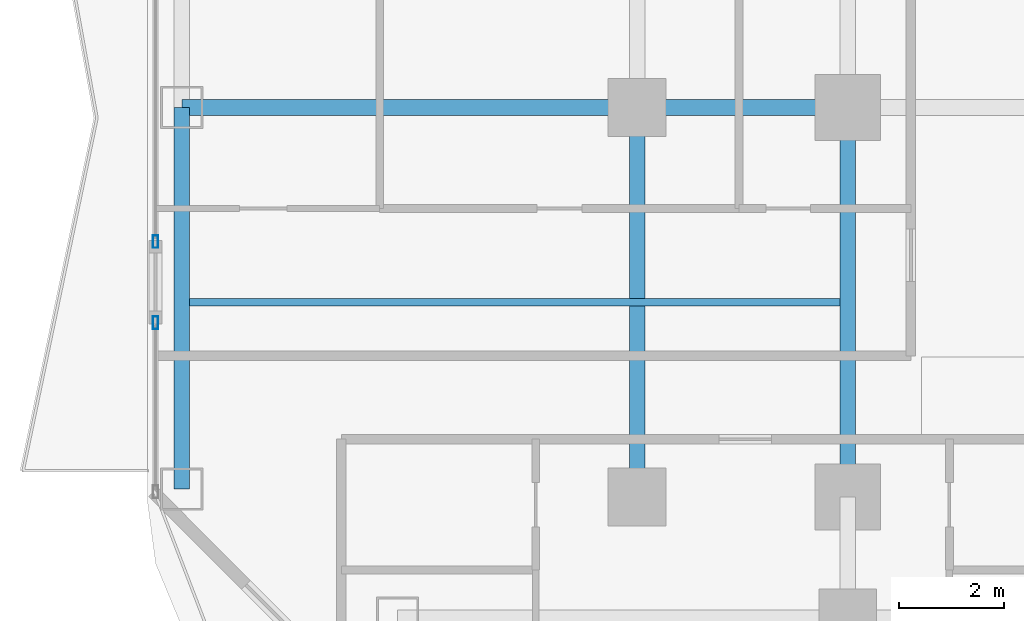
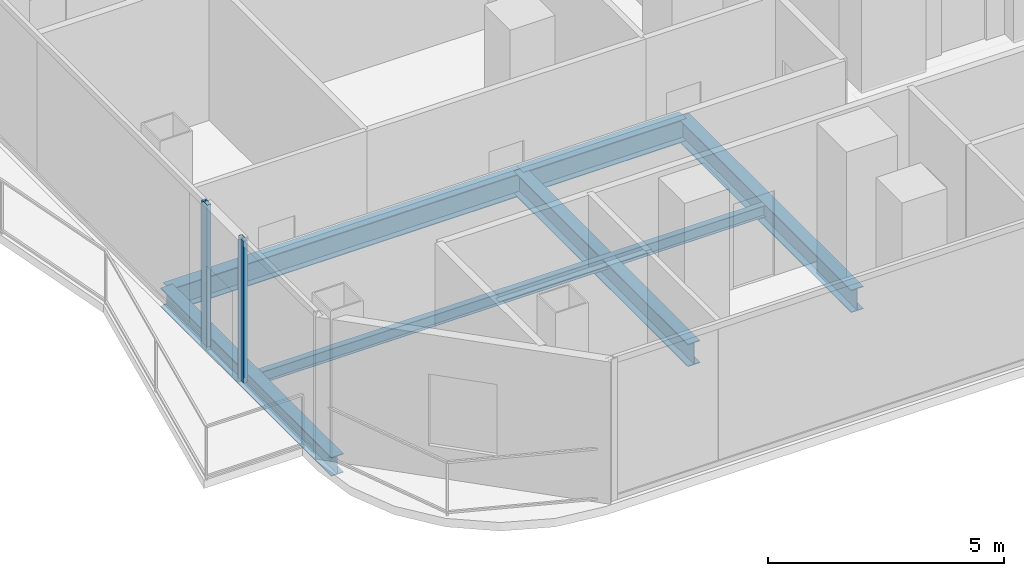
# One storey, part 3 of 28: 6 beams, 2 members, 2 elements without a shape of their own.
"""IFC4 building model written with IfcOpenShell, lengths in metres."""

import ifcopenshell
import ifcopenshell.guid

model = None  # the IFC model being written
_history = None  # IfcOwnerHistory: only IFC2X3 demands one
_inside = {}  # id of a spatial element -> (the spatial element, [elements in it])
_under = {}  # id of a project, library or spatial element -> (it, [spatial elements below it])
_declared = {}  # id of a project -> (the project, [libraries it declares])
_typed = {}  # id of a type object -> (the type object, [elements of that type])
_made_of = {}  # id of a material, layer set ... -> (it, [elements and type objects made of it])


def new_model(schema):
    """Start an empty IFC model of exactly this schema.

    Asked for "IFC4X3", IfcOpenShell would pick the latest addendum, in which some entities
    have other attributes; the version numbers below select the first issue.
    IFC2X3 requires an IfcOwnerHistory on every rooted entity: one is made here for all.
    """
    global model, _history
    if schema == "IFC4X3":
        model = ifcopenshell.file(schema_version=(4, 3, 0, 0))
    else:
        model = ifcopenshell.file(schema=schema)
    _inside.clear()
    _under.clear()
    _declared.clear()
    _typed.clear()
    _made_of.clear()
    _history = None
    if model.schema == "IFC2X3":
        org = make("IfcOrganization", Name="unknown")
        user = make(
            "IfcPersonAndOrganization",
            ThePerson=make("IfcPerson", FamilyName="unknown"),
            TheOrganization=org,
        )
        app = make(
            "IfcApplication",
            ApplicationDeveloper=org,
            Version="unknown",
            ApplicationFullName="unknown",
            ApplicationIdentifier="unknown",
        )
        _history = make(
            "IfcOwnerHistory",
            OwningUser=user,
            OwningApplication=app,
            ChangeAction="ADDED",
            CreationDate=0,
        )
    return model


def make(cls, **values):
    """One entity of the class cls with the attributes given. An attribute that is None is left unset."""
    return model.create_entity(
        cls, **{name: value for name, value in values.items() if value is not None}
    )


def rooted(cls, **values):
    """An entity with a GlobalId (a new one), such as an element, a storey or a relation."""
    return make(cls, GlobalId=ifcopenshell.guid.new(), OwnerHistory=_history, **values)


def si_unit(unit_type, name, prefix=None):
    """IfcSIUnit, for example si_unit("LENGTHUNIT", "METRE", prefix="MILLI")."""
    return make("IfcSIUnit", UnitType=unit_type, Prefix=prefix, Name=name)


def assignment(units):
    """IfcUnitAssignment: the units of a project."""
    return None if units is None else make("IfcUnitAssignment", Units=units)


def point(xyz):
    """IfcCartesianPoint."""
    return None if xyz is None else make("IfcCartesianPoint", Coordinates=xyz)


def direction(xyz):
    """IfcDirection."""
    return None if xyz is None else make("IfcDirection", DirectionRatios=xyz)


def frame(location, z_axis=None, x_axis=None):
    """IfcAxis2Placement3D, a coordinate frame: its origin and axes. An axis left out is left unset."""
    return make(
        "IfcAxis2Placement3D",
        Location=point(location),
        Axis=direction(z_axis),
        RefDirection=direction(x_axis),
    )


def frame_2d(location, x_axis=None):
    """IfcAxis2Placement2D, a coordinate frame in the plane: its origin and x axis."""
    return make(
        "IfcAxis2Placement2D", Location=point(location), RefDirection=direction(x_axis)
    )


def origin():
    """The frame at (0, 0, 0) with its axes left unset."""
    return frame((0.0, 0.0, 0.0))


def origin_2d():
    """The frame at (0, 0) in the plane with its x axis left unset."""
    return frame_2d((0.0, 0.0))


def place(relative_to, where):
    """IfcLocalPlacement: puts the frame where relative to a parent placement (None: the world)."""
    return make(
        "IfcLocalPlacement", PlacementRelTo=relative_to, RelativePlacement=where
    )


def context(
    kind, dimensions, precision=None, world=None, true_north=None, identifier=None
):
    """IfcGeometricRepresentationContext, for example the 3D "Model" context."""
    return make(
        "IfcGeometricRepresentationContext",
        ContextIdentifier=identifier,
        ContextType=kind,
        CoordinateSpaceDimension=dimensions,
        Precision=precision,
        WorldCoordinateSystem=world,
        TrueNorth=true_north,
    )


def subcontext(parent, identifier, kind, view, scale=None):
    """IfcGeometricRepresentationSubContext, for example "Body" below "Model"."""
    return make(
        "IfcGeometricRepresentationSubContext",
        ContextIdentifier=identifier,
        ContextType=kind,
        ParentContext=parent,
        TargetScale=scale,
        TargetView=view,
    )


def project(units=None, contexts=None):
    """IfcProject with its units and contexts."""
    return rooted(
        "IfcProject",
        Name="project",
        RepresentationContexts=contexts,
        UnitsInContext=assignment(units),
    )


def spatial(cls, under=None, at=None, **own):
    """A site, building, storey or space (cls), placed at a placement, below another one or the project."""
    s = rooted(cls, ObjectPlacement=at, **own)
    if under is not None:
        _under.setdefault(under.id(), (under, []))[1].append(s)
    return s


def profile(cls, at=None, kind="AREA", **sizes):
    """A parametric profile (cls). Its sizes go by their IFC names, for example OverallWidth=200.0."""
    return make(cls, ProfileType=kind, Position=at, **sizes)


def hollow_rectangle(**sizes):
    """IfcRectangleHollowProfileDef."""
    return profile("IfcRectangleHollowProfileDef", **sizes)


def i_section(**sizes):
    """IfcIShapeProfileDef."""
    return profile("IfcIShapeProfileDef", **sizes)


def extrude(swept, where, along, depth):
    """IfcExtrudedAreaSolid: the profile swept, set in the frame where, extruded along a direction by depth."""
    return make(
        "IfcExtrudedAreaSolid",
        SweptArea=swept,
        Position=where,
        ExtrudedDirection=direction(along),
        Depth=depth,
    )


def shape(context_of_items, identifier, shape_type, items):
    """IfcShapeRepresentation: the items that make up one representation, for example the "Body"."""
    return make(
        "IfcShapeRepresentation",
        ContextOfItems=context_of_items,
        RepresentationIdentifier=identifier,
        RepresentationType=shape_type,
        Items=items,
    )


def material(Name=None, Category=None):
    """IfcMaterial."""
    return make("IfcMaterial", Name=Name, Category=Category)


def layer(
    of_material, thickness, ventilated=None, Name=None, Category=None, Priority=None
):
    """IfcMaterialLayer: one layer of a wall or slab, of a material (None: an air gap)."""
    return make(
        "IfcMaterialLayer",
        Material=of_material,
        LayerThickness=thickness,
        IsVentilated=ventilated,
        Name=Name,
        Category=Category,
        Priority=Priority,
    )


def layer_set(layers, Name=None):
    """IfcMaterialLayerSet."""
    return make("IfcMaterialLayerSet", MaterialLayers=layers, LayerSetName=Name)


def material_profile(
    of_material, cross_section, Name=None, Category=None, Priority=None
):
    """IfcMaterialProfile: a cross section and its material."""
    return make(
        "IfcMaterialProfile",
        Name=Name,
        Material=of_material,
        Profile=cross_section,
        Priority=Priority,
        Category=Category,
    )


def profile_set(profiles, Name=None, composite=None):
    """IfcMaterialProfileSet."""
    return make(
        "IfcMaterialProfileSet",
        Name=Name,
        MaterialProfiles=profiles,
        CompositeProfile=composite,
    )


def made_of(thing, what):
    """Note that an element or type object is made of a material, layer set ...; save() writes the relation."""
    if what is not None:
        _made_of.setdefault(what.id(), (what, []))[1].append(thing)
    return thing


def type_object(cls, material=None, **own):
    """A type object (cls), such as IfcWallType, which elements share."""
    return made_of(rooted(cls, **own), material)


def element(
    cls,
    number,
    at=None,
    inside=None,
    cuts=None,
    type_object=None,
    material=None,
    context=None,
    identifier="Body",
    shape_type=None,
    held_by="IfcProductDefinitionShape",
    body=None,
    shapes=None,
    **own,
):
    """One element of the class cls, such as IfcWall. Its Tag is "e" and its number.

    at: its placement. inside: the storey or other place that contains it. cuts: it is an
    opening in that element (IfcRelVoidsElement). A single representation is given by context,
    identifier, shape_type and body (its items); several are given by shapes. held_by: the class
    of the entity that holds the representations. save() writes the other relations.
    """
    e = rooted(cls, Tag="e%d" % number, ObjectPlacement=at, **own)
    if body is not None:
        shapes = [shape(context, identifier, shape_type, body)]
    if shapes is not None:
        e.Representation = make(held_by, Representations=shapes)
    if inside is not None:
        _inside.setdefault(inside.id(), (inside, []))[1].append(e)
    if cuts is not None:
        rooted(
            "IfcRelVoidsElement", RelatingBuildingElement=cuts, RelatedOpeningElement=e
        )
    if type_object is not None:
        _typed.setdefault(type_object.id(), (type_object, []))[1].append(e)
    return made_of(e, material)


def aggregate(whole, parts):
    """IfcRelAggregates: a whole, such as a stair, and the parts it consists of."""
    return rooted("IfcRelAggregates", RelatingObject=whole, RelatedObjects=parts)


def save(model, path):
    """Write the relations noted so far, then the file.

    IfcRelAggregates (storeys below a building ...), IfcRelContainedInSpatialStructure (elements
    in a storey), IfcRelDefinesByType, IfcRelAssociatesMaterial and IfcRelDeclares: one each for
    every whole, place, type object, material and project.
    """
    for whole, parts in _under.values():
        aggregate(whole, parts)
    for where, things in _inside.values():
        rooted(
            "IfcRelContainedInSpatialStructure",
            RelatedElements=things,
            RelatingStructure=where,
        )
    for kind, things in _typed.values():
        rooted("IfcRelDefinesByType", RelatedObjects=things, RelatingType=kind)
    for what, things in _made_of.values():
        rooted("IfcRelAssociatesMaterial", RelatedObjects=things, RelatingMaterial=what)
    for by, libraries in _declared.values():
        rooted("IfcRelDeclares", RelatingContext=by, RelatedDefinitions=libraries)
    model.write(path)


model = new_model("IFC4")

# Units and contexts
model_context = context("Model", 3, precision=1e-05, world=origin(), true_north=direction((0.0, 1.0)))
body_context = subcontext(model_context, "Body", "Model", "MODEL_VIEW")
ifc_project = project(units=[si_unit("LENGTHUNIT", "METRE"), si_unit("AREAUNIT", "SQUARE_METRE"), si_unit("VOLUMEUNIT", "CUBIC_METRE"), si_unit("PLANEANGLEUNIT", "RADIAN"), si_unit("MASSUNIT", "GRAM", prefix="KILO")], contexts=[model_context])

# Site, building, storey
site_placement = place(None, origin())
site = spatial("IfcSite", under=ifc_project, at=site_placement, CompositionType="ELEMENT")
building_placement = place(site_placement, origin())
building = spatial("IfcBuilding", under=site, at=building_placement, Name="Khorvyn Point Tower", CompositionType="ELEMENT")
storey_placement = place(building_placement, frame((0.0, 0.0, 89.10009765625)))
storey = spatial("IfcBuildingStorey", under=building, at=storey_placement, Name="L22", CompositionType="ELEMENT", Elevation=89.10009765625)

# Curtain wall, member
ifc_material_1 = material(Name="Anodised aluminium 6063-T6 and laminated Low-E glass", Category="aluminium")
ifc_layer = layer(ifc_material_1, 0.18994140625)
ifc_layer_set = layer_set([ifc_layer], Name="Stick-Built Finned Residential Curtain Wall CW-SYS-02")
curtain_wall_type = type_object("IfcCurtainWallType", Name="Stick-Built Finned Residential Curtain Wall CW-SYS-02", PredefinedType="NOTDEFINED", material=ifc_layer_set)
curtain_wall_1_placement = place(storey_placement, origin())
curtain_wall_1 = element("IfcCurtainWall", 1, at=curtain_wall_1_placement, inside=storey, type_object=curtain_wall_type, Name="Curtain Wall", PredefinedType="NOTDEFINED")
ifc_material_2 = material(Name="Anodised aluminium 6063-T6", Category="aluminium")
ifc_material_profile_1 = material_profile(ifc_material_2, hollow_rectangle(XDim=0.10009765625, YDim=0.239990234375, WallThickness=0.0048828125, at=origin_2d()))
ifc_profile_set_1 = profile_set([ifc_material_profile_1], Name="Anodised aluminium 6063-T6 ALU-MUL-100x240")
member_type = type_object("IfcMemberType", Name="Anodised Aluminium 6063-T6 Mullion ALU-MUL-100x240", PredefinedType="MULLION", material=ifc_profile_set_1)
member_1_placement = place(storey_placement, frame((-27.949951171875, -11.489990234375, 0.0), z_axis=(0.0, 0.0, 1.0), x_axis=(-1.0, 0.0, 0.0)))
member_1 = element("IfcMember", 2, at=member_1_placement, type_object=member_type, Name="Transom", PredefinedType="MULLION", context=body_context, shape_type="SweptSolid", body=[
    extrude(hollow_rectangle(XDim=0.10009765625, YDim=0.239990234375, WallThickness=0.0048828125, at=origin_2d()), origin(), (0.0, 0.0, 1.0), 3.679931640625),
])
aggregate(curtain_wall_1, [member_1])

curtain_wall_2_placement = place(storey_placement, origin())
curtain_wall_2 = element("IfcCurtainWall", 3, at=curtain_wall_2_placement, inside=storey, type_object=curtain_wall_type, Name="Curtain Wall", PredefinedType="NOTDEFINED")
member_2_placement = place(storey_placement, frame((-27.949951171875, -9.949951171875, 0.0), z_axis=(0.0, 0.0, 1.0), x_axis=(-1.0, 0.0, 0.0)))
member_2 = element("IfcMember", 4, at=member_2_placement, type_object=member_type, Name="Transom", PredefinedType="MULLION", context=body_context, shape_type="SweptSolid", body=[
    extrude(hollow_rectangle(XDim=0.10009765625, YDim=0.239990234375, WallThickness=0.0048828125, at=origin_2d()), origin(), (0.0, 0.0, 1.0), 3.679931640625),
])
aggregate(curtain_wall_2, [member_2])

# Beams
ifc_material_3 = material(Name="Steel S355", Category="steel")
ifc_material_profile_2 = material_profile(ifc_material_3, i_section(OverallWidth=0.300048828125, OverallDepth=0.587890625, WebThickness=0.011962890625, FlangeThickness=0.02001953125, at=origin_2d()))
ifc_profile_set_2 = profile_set([ifc_material_profile_2], Name="Steel S355 H588x300x12x20")
beam_type_1 = type_object("IfcBeamType", Name="Steel S355 Beam H588x300x12x20", PredefinedType="BEAM", material=ifc_profile_set_2)
beam_1_placement = place(storey_placement, frame((-27.449951171875, -7.39990234375, -0.51416015625), z_axis=(1.0, 0.0, 0.0), x_axis=(0.0, 1.0, 0.0)))
element("IfcBeam", 5, at=beam_1_placement, inside=storey, type_object=beam_type_1, Name="Beam", PredefinedType="BEAM", context=body_context, shape_type="SweptSolid", body=[
    extrude(i_section(OverallWidth=0.300048828125, OverallDepth=0.587890625, WebThickness=0.011962890625, FlangeThickness=0.02001953125, at=origin_2d()), origin(), (0.0, 0.0, 1.0), 8.64990234375),
])
beam_2_placement = place(storey_placement, frame((-18.800048828125, -7.39990234375, -0.51416015625), z_axis=(1.0, 0.0, 0.0), x_axis=(0.0, 1.0, 0.0)))
element("IfcBeam", 6, at=beam_2_placement, inside=storey, type_object=beam_type_1, Name="Beam", PredefinedType="BEAM", context=body_context, shape_type="SweptSolid", body=[
    extrude(i_section(OverallWidth=0.300048828125, OverallDepth=0.587890625, WebThickness=0.011962890625, FlangeThickness=0.02001953125, at=origin_2d()), origin(), (0.0, 0.0, 1.0), 4.0),
])
for number, where, z_axis, x_axis, name in (
    (7, (-14.800048828125, -14.800048828125, -0.51416015625), (0.0, 1.0, 0.0), (-1.0, 0.0, 0.0), "Beam"),
    (8, (-18.800048828125, -14.800048828125, -0.51416015625), (0.0, 1.0, 0.0), (-1.0, 0.0, 0.0), "Beam"),
):
    element("IfcBeam", number, at=place(storey_placement, frame(where, z_axis=z_axis, x_axis=x_axis)), inside=storey, type_object=beam_type_1, Name=name, PredefinedType="BEAM", context=body_context, shape_type="SweptSolid", body=[
        extrude(i_section(OverallWidth=0.300048828125, OverallDepth=0.587890625, WebThickness=0.011962890625, FlangeThickness=0.02001953125, at=origin_2d()), origin(), (0.0, 0.0, 1.0), 7.400146484375),
    ])
ifc_material_profile_3 = material_profile(ifc_material_3, i_section(OverallWidth=0.14990234375, OverallDepth=0.300048828125, WebThickness=0.006591796875, FlangeThickness=0.009033203125, at=origin_2d()))
ifc_profile_set_3 = profile_set([ifc_material_profile_3], Name="Steel S355 H300x150x6.5x9")
beam_type_2 = type_object("IfcBeamType", Name="Steel S355 Joist H300x150x6.5x9", PredefinedType="JOIST", material=ifc_profile_set_3)
beam_3_placement = place(storey_placement, frame((-27.300048828125, -11.10009765625, -0.3701171875), z_axis=(1.0, 0.0, 0.0), x_axis=(0.0, 1.0, 0.0)))
element("IfcBeam", 9, at=beam_3_placement, inside=storey, type_object=beam_type_2, Name="Beam", PredefinedType="JOIST", context=body_context, shape_type="SweptSolid", body=[
    extrude(i_section(OverallWidth=0.14990234375, OverallDepth=0.300048828125, WebThickness=0.006591796875, FlangeThickness=0.009033203125, at=origin_2d()), origin(), (0.0, 0.0, 1.0), 12.35009765625),
])
ifc_material_profile_4 = material_profile(ifc_material_3, i_section(OverallWidth=0.300048828125, OverallDepth=0.488037109375, WebThickness=0.010986328125, FlangeThickness=0.01806640625, at=origin_2d()))
ifc_profile_set_4 = profile_set([ifc_material_profile_4], Name="Steel S355 H488x300x11x18")
beam_type_3 = type_object("IfcBeamType", Name="Steel S355 Spandrel H488x300x11x18", PredefinedType="SPANDREL", material=ifc_profile_set_4)
beam_4_placement = place(storey_placement, frame((-27.449951171875, -14.64990234375, -0.464111328125), z_axis=(0.0, 1.0, 0.0), x_axis=(-1.0, 0.0, 0.0)))
element("IfcBeam", 10, at=beam_4_placement, inside=storey, type_object=beam_type_3, Name="Beam", PredefinedType="SPANDREL", context=body_context, shape_type="SweptSolid", body=[
    extrude(i_section(OverallWidth=0.300048828125, OverallDepth=0.488037109375, WebThickness=0.010986328125, FlangeThickness=0.01806640625, at=origin_2d()), origin(), (0.0, 0.0, 1.0), 7.25),
])

save(model, "model.ifc")
